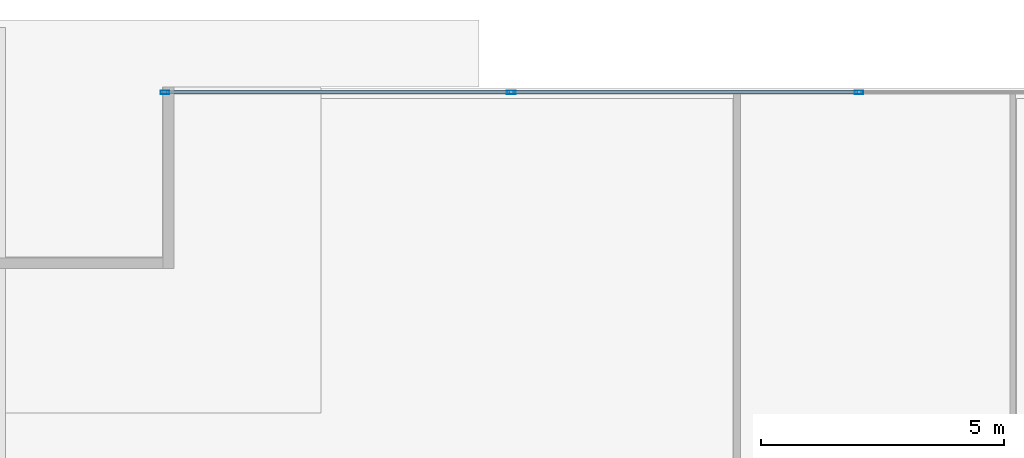
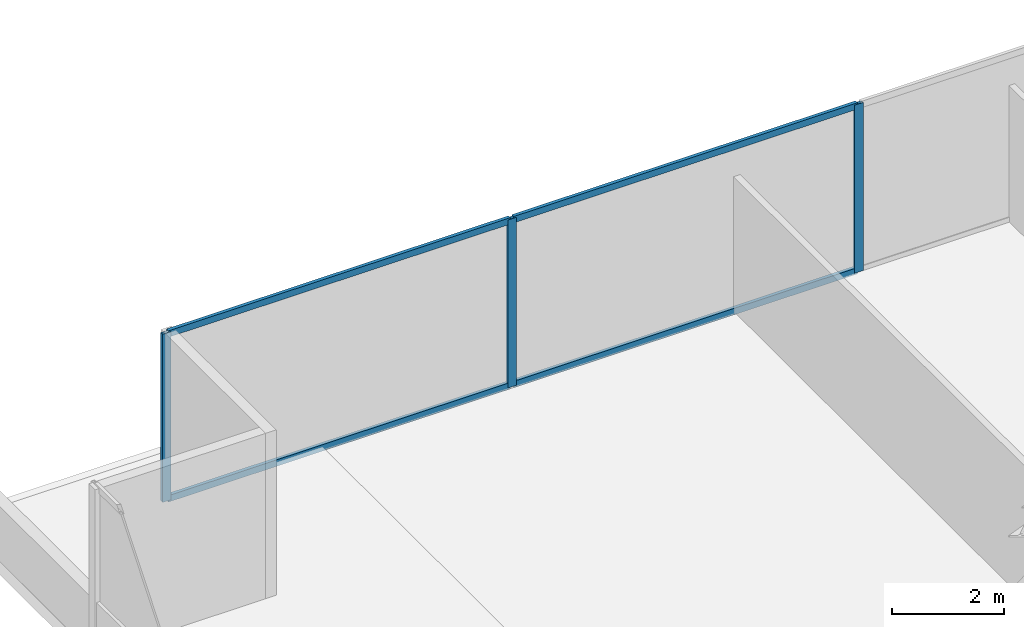
# One storey, part 19 of 30: 7 members, 1 element without a shape of its own.
"""IFC4 building model written with IfcOpenShell, lengths in metres."""

from ifc_helpers import new_model, si_unit, direction, frame, origin, origin_2d, place, context, subcontext, project, spatial, hollow_rectangle, extrude, source, transform, mapped, material, material_profile, profile_set, type_object, type_shapes, element, aggregate, save


model = new_model("IFC4")

# Units and contexts
model_context = context("Model", 3, precision=1e-05, world=origin(), true_north=direction((0.0, 1.0)))
body_context = subcontext(model_context, "Body", "Model", "MODEL_VIEW")
ifc_project = project(units=[si_unit("LENGTHUNIT", "METRE"), si_unit("AREAUNIT", "SQUARE_METRE"), si_unit("VOLUMEUNIT", "CUBIC_METRE"), si_unit("PLANEANGLEUNIT", "RADIAN"), si_unit("MASSUNIT", "GRAM", prefix="KILO")], contexts=[model_context])

# Site, building, storey
site_placement = place(None, origin())
site = spatial("IfcSite", under=ifc_project, at=site_placement, CompositionType="ELEMENT")
building_placement = place(site_placement, origin())
building = spatial("IfcBuilding", under=site, at=building_placement, Name="Krantzveldt Concourse Tower", CompositionType="ELEMENT")
storey_placement = place(building_placement, frame((0.0, 0.0, 25.0)))
storey = spatial("IfcBuildingStorey", under=building, at=storey_placement, Name="L05", CompositionType="ELEMENT", Elevation=25.0)

# Curtain wall, members
ifc_material = material(Name="Anodised aluminium 6063-T6", Category="aluminium")
curtain_wall_type = type_object("IfcCurtainWallType", Name="CW2", PredefinedType="USERDEFINED", material=ifc_material)
curtain_wall_placement = place(storey_placement, origin())
curtain_wall = element("IfcCurtainWall", 1, at=curtain_wall_placement, inside=storey, type_object=curtain_wall_type, Name="CW-L05-F10", ObjectType="UNITISED CURTAIN WALL", PredefinedType="USERDEFINED")
ifc_material_profile_1 = material_profile(ifc_material, hollow_rectangle(XDim=0.070068359375, YDim=0.179931640625, WallThickness=0.0048828125, at=origin_2d()), Name="Anodised aluminium 6063-T6", Category="aluminium")
ifc_profile_set_1 = profile_set([ifc_material_profile_1], Name="Anodised aluminium 6063-T6 - ALU-MULL 180x70x5")
member_type_1 = type_object("IfcMemberType", Name="CW-MUL-180", PredefinedType="MULLION", material=ifc_profile_set_1)
shared_shape_1 = source(origin(), body_context, "Body", "SweptSolid", [
    extrude(hollow_rectangle(XDim=0.070068359375, YDim=0.179931640625, WallThickness=0.0048828125, at=origin_2d()), origin(), (0.0, 0.0, 1.0), 3.669921875),
])
type_shapes(member_type_1, [shared_shape_1])
member_1_placement = place(storey_placement, frame((28.833251953125, 51.610107421875, 0.0), z_axis=(0.0, 0.0, 1.0), x_axis=(0.0, -1.0, 0.0)))
member_1 = element("IfcMember", 2, at=member_1_placement, type_object=member_type_1, Name="CW-Z12 mullion 5", PredefinedType="MULLION", context=body_context, shape_type="MappedRepresentation", body=[
    mapped(shared_shape_1, transform((0.0, 0.0, 0.0), x_axis=(1.0, 0.0, 0.0), y_axis=(0.0, 1.0, 0.0), z_axis=(0.0, 0.0, 1.0), scale=1.0)),
])
member_2_placement = place(storey_placement, frame((21.666748046875, 51.610107421875, 0.0), z_axis=(0.0, 0.0, 1.0), x_axis=(0.0, -1.0, 0.0)))
member_2 = element("IfcMember", 3, at=member_2_placement, type_object=member_type_1, Name="CW-Z12 mullion 6", PredefinedType="MULLION", context=body_context, shape_type="MappedRepresentation", body=[
    mapped(shared_shape_1, transform((0.0, 0.0, 0.0), x_axis=(1.0, 0.0, 0.0), y_axis=(0.0, 1.0, 0.0), z_axis=(0.0, 0.0, 1.0), scale=1.0)),
])
member_3_placement = place(storey_placement, frame((14.534912109375, 51.610107421875, 0.0), z_axis=(0.0, 0.0, 1.0), x_axis=(0.0, -1.0, 0.0)))
member_3 = element("IfcMember", 4, at=member_3_placement, type_object=member_type_1, Name="CW-Z12 mullion 7", PredefinedType="MULLION", context=body_context, shape_type="MappedRepresentation", body=[
    mapped(shared_shape_1, transform((0.0, 0.0, 0.0), x_axis=(1.0, 0.0, 0.0), y_axis=(0.0, 1.0, 0.0), z_axis=(0.0, 0.0, 1.0), scale=1.0)),
])
ifc_material_profile_2 = material_profile(ifc_material, hollow_rectangle(XDim=0.070068359375, YDim=0.139892578125, WallThickness=0.0048828125, at=origin_2d()), Name="Anodised aluminium 6063-T6", Category="aluminium")
ifc_profile_set_2 = profile_set([ifc_material_profile_2], Name="Anodised aluminium 6063-T6 - ALU-TRAN 140x70x5")
member_type_2 = type_object("IfcMemberType", Name="CW-TRN-150", PredefinedType="USERDEFINED", material=ifc_profile_set_2)
shared_shape_2 = source(origin(), body_context, "Body", "SweptSolid", [
    extrude(hollow_rectangle(XDim=0.070068359375, YDim=0.139892578125, WallThickness=0.0048828125, at=origin_2d()), origin(), (0.0, 0.0, 1.0), 7.0615234375),
])
member_4_placement = place(storey_placement, frame((21.631591796875, 51.610107421875, 0.034912109375), z_axis=(-1.0, 0.0, 0.0), x_axis=(0.0, -1.0, 0.0)))
member_4 = element("IfcMember", 5, at=member_4_placement, type_object=member_type_2, Name="CW-Z12 transom 6.1", ObjectType="TRANSOM", PredefinedType="USERDEFINED", context=body_context, shape_type="MappedRepresentation", body=[
    mapped(shared_shape_2, transform((0.0, 0.0, 0.0), x_axis=(1.0, 0.0, 0.0), y_axis=(0.0, 1.0, 0.0), z_axis=(0.0, 0.0, 1.0), scale=1.0)),
])
member_5_placement = place(storey_placement, frame((21.631591796875, 51.610107421875, 3.635009765625), z_axis=(-1.0, 0.0, 0.0), x_axis=(0.0, -1.0, 0.0)))
member_5 = element("IfcMember", 6, at=member_5_placement, type_object=member_type_2, Name="CW-Z12 transom 6.2", ObjectType="TRANSOM", PredefinedType="USERDEFINED", context=body_context, shape_type="MappedRepresentation", body=[
    mapped(shared_shape_2, transform((0.0, 0.0, 0.0), x_axis=(1.0, 0.0, 0.0), y_axis=(0.0, 1.0, 0.0), z_axis=(0.0, 0.0, 1.0), scale=1.0)),
])
shared_shape_3 = source(origin(), body_context, "Body", "SweptSolid", [
    extrude(hollow_rectangle(XDim=0.070068359375, YDim=0.139892578125, WallThickness=0.0048828125, at=origin_2d()), origin(), (0.0, 0.0, 1.0), 7.0966796875),
])
type_shapes(member_type_2, [shared_shape_2, shared_shape_3])
member_6_placement = place(storey_placement, frame((28.79833984375, 51.610107421875, 0.034912109375), z_axis=(-1.0, 0.0, 0.0), x_axis=(0.0, -1.0, 0.0)))
member_6 = element("IfcMember", 7, at=member_6_placement, type_object=member_type_2, Name="CW-Z12 transom 5.1", ObjectType="TRANSOM", PredefinedType="USERDEFINED", context=body_context, shape_type="MappedRepresentation", body=[
    mapped(shared_shape_3, transform((0.0, 0.0, 0.0), x_axis=(1.0, 0.0, 0.0), y_axis=(0.0, 1.0, 0.0), z_axis=(0.0, 0.0, 1.0), scale=1.0)),
])
member_7_placement = place(storey_placement, frame((28.79833984375, 51.610107421875, 3.635009765625), z_axis=(-1.0, 0.0, 0.0), x_axis=(0.0, -1.0, 0.0)))
member_7 = element("IfcMember", 8, at=member_7_placement, type_object=member_type_2, Name="CW-Z12 transom 5.2", ObjectType="TRANSOM", PredefinedType="USERDEFINED", context=body_context, shape_type="MappedRepresentation", body=[
    mapped(shared_shape_3, transform((0.0, 0.0, 0.0), x_axis=(1.0, 0.0, 0.0), y_axis=(0.0, 1.0, 0.0), z_axis=(0.0, 0.0, 1.0), scale=1.0)),
])
aggregate(curtain_wall, [member_1, member_2, member_3, member_6, member_7, member_4, member_5])

save(model, "model.ifc")
